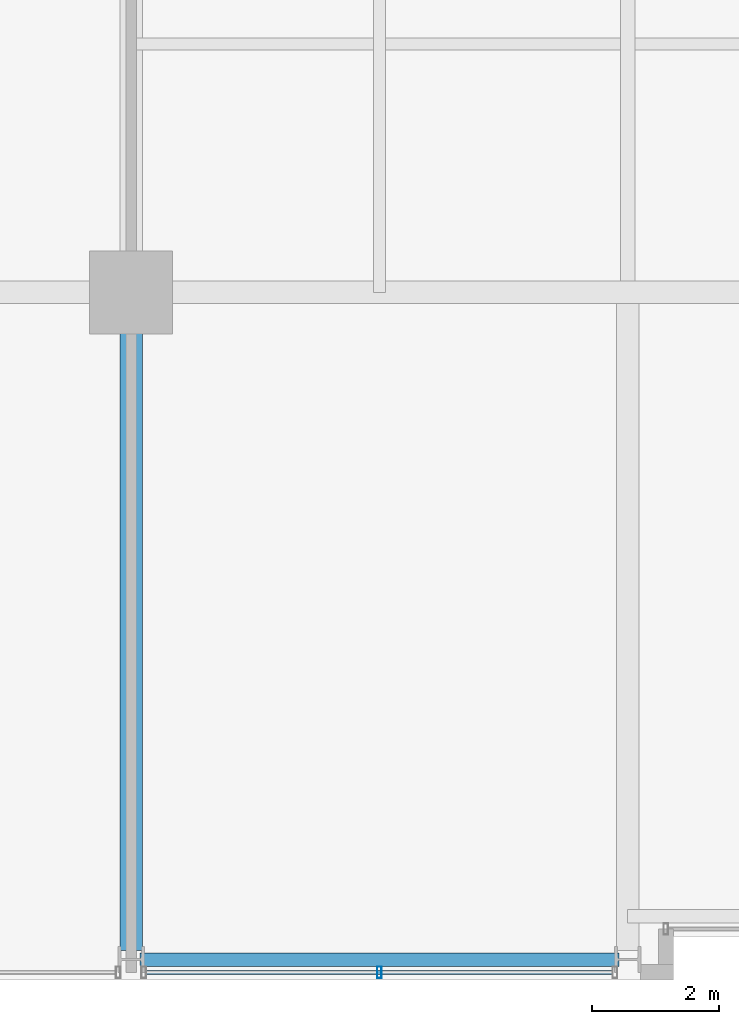
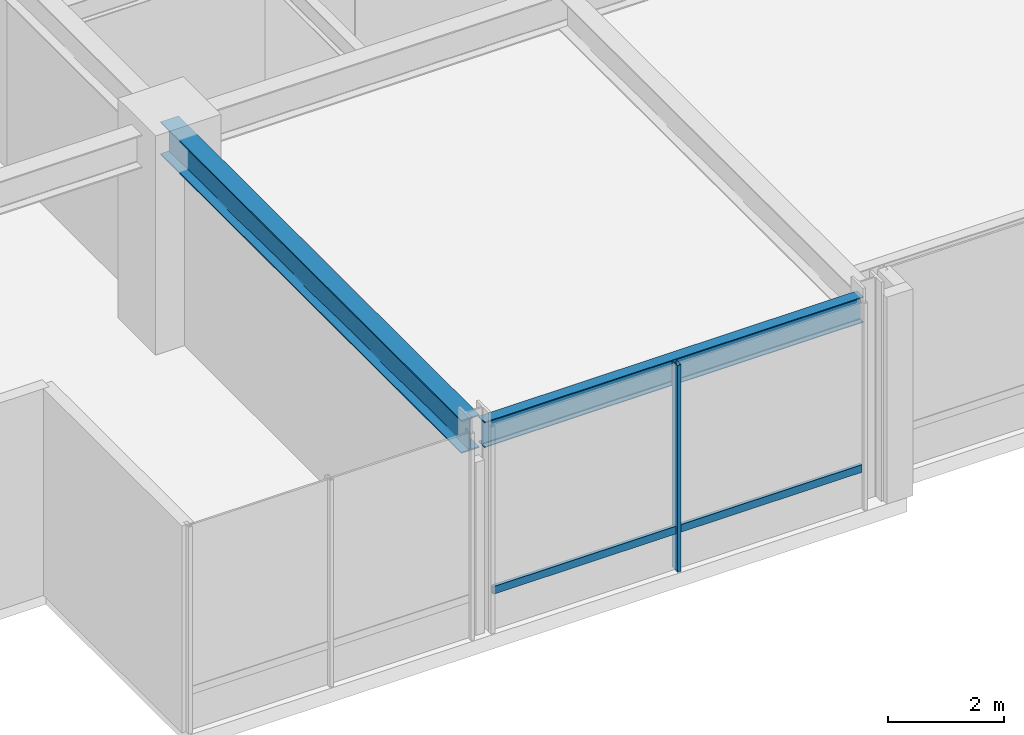
# One storey, part 3 of 32: 2 beams, 2 members, 1 element without a shape of its own.
"""IFC4 building model written with IfcOpenShell, lengths in metres."""

from ifc_helpers import new_model, si_unit, direction, frame, origin, origin_2d, place, context, subcontext, project, spatial, hollow_rectangle, i_section, extrude, material, layer, layer_set, material_profile, profile_set, type_object, element, aggregate, save


model = new_model("IFC4")

# Units and contexts
model_context = context("Model", 3, precision=1e-05, world=origin(), true_north=direction((0.0, 1.0)))
body_context = subcontext(model_context, "Body", "Model", "MODEL_VIEW")
ifc_project = project(units=[si_unit("LENGTHUNIT", "METRE"), si_unit("AREAUNIT", "SQUARE_METRE"), si_unit("VOLUMEUNIT", "CUBIC_METRE"), si_unit("PLANEANGLEUNIT", "RADIAN"), si_unit("MASSUNIT", "GRAM", prefix="KILO")], contexts=[model_context])

# Site, building, storey
site_placement = place(None, origin())
site = spatial("IfcSite", under=ifc_project, at=site_placement, CompositionType="ELEMENT")
building_placement = place(site_placement, origin())
building = spatial("IfcBuilding", under=site, at=building_placement, Name="Drelvath Grand Hotel", CompositionType="ELEMENT")
storey_placement = place(building_placement, frame((0.0, 0.0, 145.800048828125)))
storey = spatial("IfcBuildingStorey", under=building, at=storey_placement, Name="L37", CompositionType="ELEMENT", Elevation=145.800048828125)

# Curtain wall, members
ifc_material_1 = material(Name="Brushed Pale-Silver Anodised Aluminium Frame", Category="aluminium")
ifc_layer = layer(ifc_material_1, 0.199951171875)
ifc_layer_set = layer_set([ifc_layer], Name="Brushed Pale-Silver Anodised Aluminium Frame")
curtain_wall_type = type_object("IfcCurtainWallType", Name="Stick Curtain Wall CW-04 Brushed Silver Upper-Mid", PredefinedType="NOTDEFINED", material=ifc_layer_set)
curtain_wall_placement = place(storey_placement, origin())
curtain_wall = element("IfcCurtainWall", 1, at=curtain_wall_placement, inside=storey, type_object=curtain_wall_type, Name="L37 CW-04 Curtain Wall CW04-L37-SW2", PredefinedType="NOTDEFINED")
ifc_material_profile_1 = material_profile(ifc_material_1, hollow_rectangle(XDim=0.06494140625, YDim=0.159912109375, WallThickness=0.00390625, at=origin_2d()), Name="HSS160X65X4")
ifc_profile_set_1 = profile_set([ifc_material_profile_1], Name="Brushed Pale-Silver Anodised Aluminium Frame")
member_type_1 = type_object("IfcMemberType", Name="Curtain Wall Horizontal Transom CW-04 HSS160X65X4", PredefinedType="USERDEFINED", material=ifc_profile_set_1)
member_1_placement = place(storey_placement, frame((-8.64013671875, 0.1201171875, 0.849853515625), z_axis=(-1.0, 0.0, 0.0), x_axis=(0.0, -1.0, 0.0)))
member_1 = element("IfcMember", 2, at=member_1_placement, type_object=member_type_1, Name="CW04-L37-SW2 Sill Transom", ObjectType="TRANSOM", PredefinedType="USERDEFINED", context=body_context, shape_type="SweptSolid", body=[
    extrude(hollow_rectangle(XDim=0.06494140625, YDim=0.159912109375, WallThickness=0.00390625, at=origin_2d()), origin(), (0.0, 0.0, 1.0), 7.31982421875),
])
ifc_material_profile_2 = material_profile(ifc_material_1, hollow_rectangle(XDim=0.074951171875, YDim=0.179931640625, WallThickness=0.0048828125, at=origin_2d()), Name="HSS180X75X5")
ifc_profile_set_2 = profile_set([ifc_material_profile_2], Name="Brushed Pale-Silver Anodised Aluminium Frame")
member_type_2 = type_object("IfcMemberType", Name="Curtain Wall Vertical Mullion CW-04 HSS180X75X5", PredefinedType="MULLION", material=ifc_profile_set_2)
member_2_placement = place(storey_placement, frame((-12.300048828125, 0.1201171875, 0.0), z_axis=(0.0, 0.0, 1.0), x_axis=(1.0, 0.0, 0.0)))
member_2 = element("IfcMember", 3, at=member_2_placement, type_object=member_type_2, Name="CW04-L37-SW2 Mullion 2", PredefinedType="MULLION", context=body_context, shape_type="SweptSolid", body=[
    extrude(hollow_rectangle(XDim=0.074951171875, YDim=0.179931640625, WallThickness=0.0048828125, at=origin_2d()), origin(), (0.0, 0.0, 1.0), 4.33984375),
])
aggregate(curtain_wall, [member_2, member_1])

# Beams
ifc_material_2 = material(Name="Steel ASTM A992 Gr 50", Category="steel")
ifc_material_profile_3 = material_profile(ifc_material_2, i_section(OverallWidth=0.210205078125, OverallDepth=0.53662109375, WebThickness=0.010986328125, FlangeThickness=0.017333984375, FilletRadius=0.01806640625, at=origin_2d()), Name="W21X68")
ifc_profile_set_3 = profile_set([ifc_material_profile_3], Name="Steel ASTM A992 Gr 50")
beam_type_1 = type_object("IfcBeamType", Name="Perimeter Spandrel Beam W21X68", PredefinedType="SPANDREL", material=ifc_profile_set_3)
beam_1_placement = place(storey_placement, frame((-16.06005859375, 0.320068359375, 4.071533203125), z_axis=(1.0, 0.0, 0.0), x_axis=(0.0, 1.0, 0.0)))
element("IfcBeam", 4, at=beam_1_placement, inside=storey, type_object=beam_type_1, Name="L37 Spandrel South W", PredefinedType="SPANDREL", context=body_context, shape_type="SweptSolid", body=[
    extrude(i_section(OverallWidth=0.210205078125, OverallDepth=0.53662109375, WebThickness=0.010986328125, FlangeThickness=0.017333984375, FilletRadius=0.01806640625, at=origin_2d()), origin(), (0.0, 0.0, 1.0), 7.52001953125),
])
ifc_material_profile_4 = material_profile(ifc_material_2, i_section(OverallWidth=0.354736328125, OverallDepth=0.695556640625, WebThickness=0.015380859375, FlangeThickness=0.025146484375, FilletRadius=0.02392578125, at=origin_2d()), Name="W27X146")
ifc_profile_set_4 = profile_set([ifc_material_profile_4], Name="Steel ASTM A992 Gr 50")
beam_type_2 = type_object("IfcBeamType", Name="Primary Floor Girder W27X146", PredefinedType="BEAM", material=ifc_profile_set_4)
beam_2_placement = place(storey_placement, frame((-16.199951171875, 0.4599609375, 3.9921875), z_axis=(0.0, 1.0, 0.0), x_axis=(-1.0, 0.0, 0.0)))
element("IfcBeam", 5, at=beam_2_placement, inside=storey, type_object=beam_type_2, Name="L37 South Grid Girder 3", PredefinedType="BEAM", context=body_context, shape_type="SweptSolid", body=[
    extrude(i_section(OverallWidth=0.354736328125, OverallDepth=0.695556640625, WebThickness=0.015380859375, FlangeThickness=0.025146484375, FilletRadius=0.02392578125, at=origin_2d()), origin(), (0.0, 0.0, 1.0), 10.340087890625),
])

save(model, "model.ifc")
